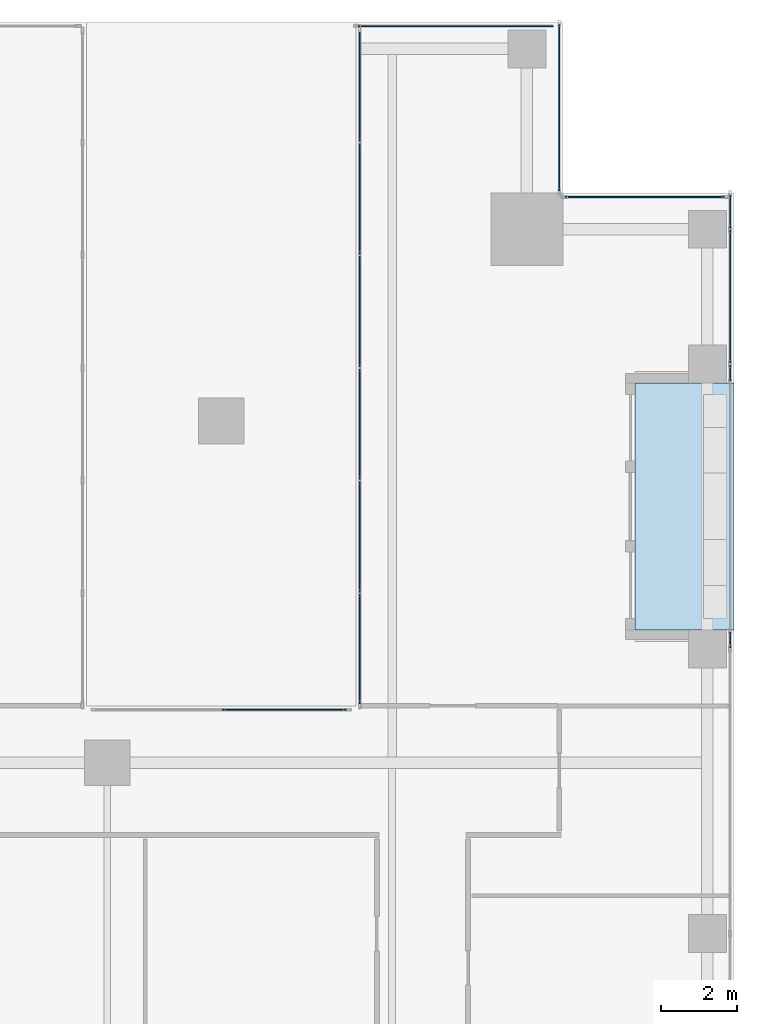
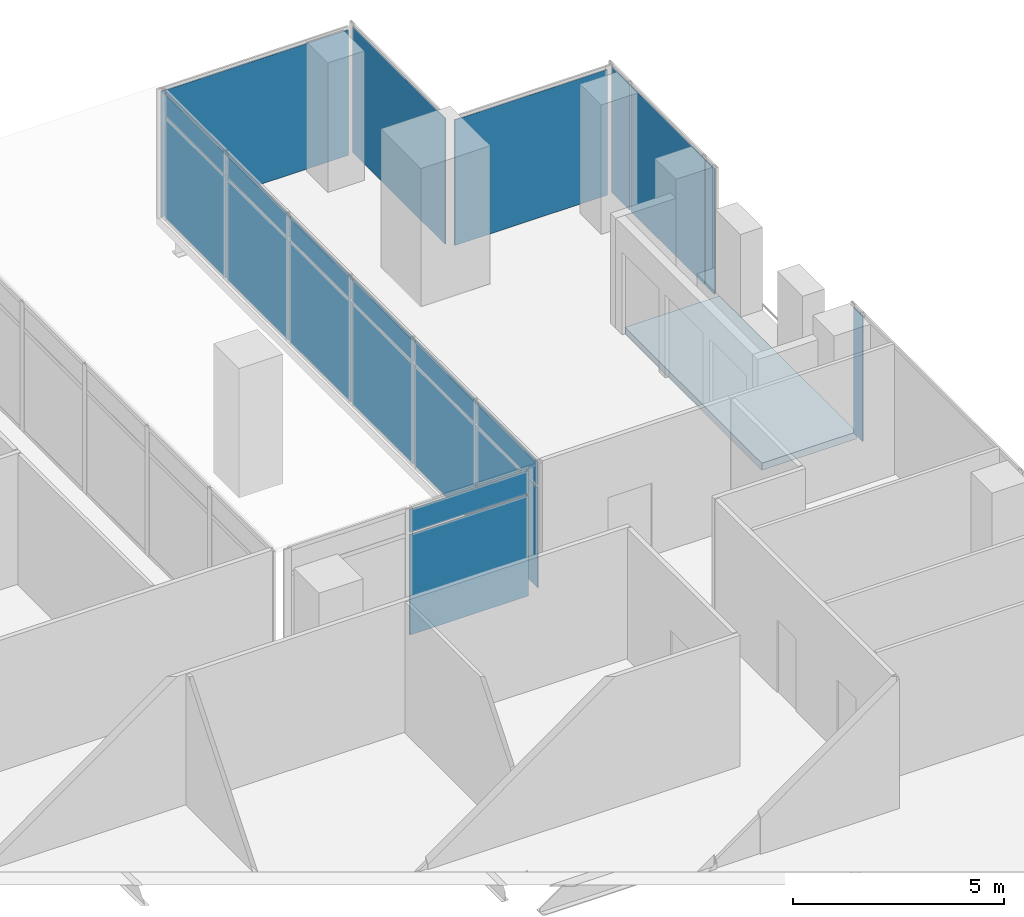
# One storey, part 33 of 40: 21 plates, 1 slab, 7 elements without a shape of their own.
"""IFC4 building model written with IfcOpenShell, lengths in metres."""

from ifc_helpers import new_model, si_unit, direction, frame, origin, origin_2d, place, context, subcontext, project, spatial, polyline, rectangle, outline, extrude, source, transform, mapped, material, layer, layer_set, type_object, element, aggregate, save


model = new_model("IFC4")

# Units and contexts
model_context = context("Model", 3, precision=1e-05, world=origin(), true_north=direction((0.0, 1.0)))
body_context = subcontext(model_context, "Body", "Model", "MODEL_VIEW")
ifc_project = project(units=[si_unit("LENGTHUNIT", "METRE"), si_unit("AREAUNIT", "SQUARE_METRE"), si_unit("VOLUMEUNIT", "CUBIC_METRE"), si_unit("PLANEANGLEUNIT", "RADIAN"), si_unit("MASSUNIT", "GRAM", prefix="KILO")], contexts=[model_context])

# Site, building, storey
site_placement = place(None, origin())
site = spatial("IfcSite", under=ifc_project, at=site_placement, CompositionType="ELEMENT")
building_placement = place(site_placement, origin())
building = spatial("IfcBuilding", under=site, at=building_placement, Name="Khomas Fold Tower", CompositionType="ELEMENT")
storey_placement = place(building_placement, frame((0.0, 0.0, 184.699951171875)))
storey = spatial("IfcBuildingStorey", under=building, at=storey_placement, Name="L40", CompositionType="ELEMENT", Elevation=184.699951171875)

# Curtain wall, plate
ifc_material_1 = material(Name="Aluminium framed double glazing", Category="aluminium")
curtain_wall_type_1 = type_object("IfcCurtainWallType", Name="SK-Unitised clear-glass wall, office floors CW2", PredefinedType="NOTDEFINED", material=ifc_material_1)
curtain_wall_1_placement = place(storey_placement, origin())
curtain_wall_1 = element("IfcCurtainWall", 1, at=curtain_wall_1_placement, inside=storey, type_object=curtain_wall_type_1, Name="CW2 corner return L40 10", PredefinedType="NOTDEFINED")
ifc_material_2 = material(Name="Clear double glazed unit")
ifc_layer_1 = layer(ifc_material_2, 0.030029296875)
ifc_layer_set_1 = layer_set([ifc_layer_1], Name="Clear double glazed unit")
plate_type_1 = type_object("IfcPlateType", Name="SK-Unitised clear-glass wall, office floors glass panel CW2-P", PredefinedType="CURTAIN_PANEL", material=ifc_layer_set_1)
shared_shape_1 = source(origin(), body_context, "Body", "SweptSolid", [
    extrude(rectangle(XDim=4.3798828125, YDim=0.030029296875, at=origin_2d()), origin(), (0.0, 0.0, 1.0), 3.639892578125),
])
plate_1_placement = place(storey_placement, frame((46.39990234375, 48.75, 0.0), z_axis=(0.0, 0.0, 1.0), x_axis=(0.0, 1.0, 0.0)))
plate_1 = element("IfcPlate", 2, at=plate_1_placement, type_object=plate_type_1, Name="CW2 glass panel 1", PredefinedType="CURTAIN_PANEL", context=body_context, shape_type="MappedRepresentation", body=[
    mapped(shared_shape_1, transform((0.0, 0.0, 0.0))),
])
aggregate(curtain_wall_1, [plate_1])

curtain_wall_2_placement = place(storey_placement, origin())
curtain_wall_2 = element("IfcCurtainWall", 3, at=curtain_wall_2_placement, inside=storey, type_object=curtain_wall_type_1, Name="CW2 run L40 08-1", PredefinedType="NOTDEFINED")
shared_shape_2 = source(origin(), body_context, "Body", "SweptSolid", [
    extrude(rectangle(XDim=3.489990234375, YDim=0.030029296875, at=origin_2d()), origin(), (0.0, 0.0, 1.0), 3.639892578125),
])
plate_2_placement = place(storey_placement, frame((50.89990234375, 43.77490234375, 0.0), z_axis=(0.0, 0.0, 1.0), x_axis=(0.0, 1.0, 0.0)))
plate_2 = element("IfcPlate", 4, at=plate_2_placement, type_object=plate_type_1, Name="CW2 glass panel 2", PredefinedType="CURTAIN_PANEL", context=body_context, shape_type="MappedRepresentation", body=[
    mapped(shared_shape_2, transform((0.0, 0.0, 0.0))),
])

curtain_wall_3_placement = place(storey_placement, origin())
curtain_wall_3 = element("IfcCurtainWall", 5, at=curtain_wall_3_placement, inside=storey, type_object=curtain_wall_type_1, Name="CW2 corner return L40 09", PredefinedType="NOTDEFINED")
shared_shape_3 = source(origin(), body_context, "Body", "SweptSolid", [
    extrude(rectangle(XDim=4.179931640625, YDim=0.030029296875, at=origin_2d()), origin(), (0.0, 0.0, 1.0), 3.639892578125),
])
plate_3_placement = place(storey_placement, frame((48.64990234375, 46.39990234375, 0.0), z_axis=(0.0, 0.0, 1.0), x_axis=(-1.0, 0.0, 0.0)))
plate_3 = element("IfcPlate", 6, at=plate_3_placement, type_object=plate_type_1, Name="CW2 glass panel 1", PredefinedType="CURTAIN_PANEL", context=body_context, shape_type="MappedRepresentation", body=[
    mapped(shared_shape_3, transform((0.0, 0.0, 0.0))),
])
aggregate(curtain_wall_3, [plate_3])

curtain_wall_4_placement = place(storey_placement, origin())
curtain_wall_4 = element("IfcCurtainWall", 7, at=curtain_wall_4_placement, inside=storey, type_object=curtain_wall_type_1, Name="CW2 run L40 08-0", PredefinedType="NOTDEFINED")
shared_shape_4 = source(origin(), body_context, "Body", "SweptSolid", [
    extrude(rectangle(XDim=0.409912109375, YDim=0.030029296875, at=origin_2d()), origin(), (0.0, 0.0, 1.0), 3.639892578125),
])
plate_4_placement = place(storey_placement, frame((50.89990234375, 34.735107421875, 0.0), z_axis=(0.0, 0.0, 1.0), x_axis=(0.0, 1.0, 0.0)))
plate_4 = element("IfcPlate", 8, at=plate_4_placement, type_object=plate_type_1, Name="CW2 glass panel 6", PredefinedType="CURTAIN_PANEL", context=body_context, shape_type="MappedRepresentation", body=[
    mapped(shared_shape_4, transform((0.0, 0.0, 0.0))),
])
aggregate(curtain_wall_4, [plate_4])

# Plate
plate_5_placement = place(storey_placement, frame((50.89990234375, 41.764892578125, 0.0), z_axis=(0.0, 0.0, 1.0), x_axis=(0.0, 1.0, 0.0)))
plate_5 = element("IfcPlate", 9, at=plate_5_placement, type_object=plate_type_1, Name="CW2 glass panel 1", PredefinedType="CURTAIN_PANEL", context=body_context, shape_type="MappedRepresentation", body=[
    mapped(shared_shape_4, transform((0.0, 0.0, 0.0))),
])

shared_shape_5 = source(origin(), body_context, "Body", "SweptSolid", [
    extrude(rectangle(XDim=0.860107421875, YDim=0.030029296875, at=origin_2d()), origin(), (0.0, 0.0, 1.0), 3.639892578125),
])
plate_6_placement = place(storey_placement, frame((50.89990234375, 46.010009765625, 0.0), z_axis=(0.0, 0.0, 1.0), x_axis=(0.0, 1.0, 0.0)))
plate_6 = element("IfcPlate", 10, at=plate_6_placement, type_object=plate_type_1, Name="CW2 glass panel 3", PredefinedType="CURTAIN_PANEL", context=body_context, shape_type="MappedRepresentation", body=[
    mapped(shared_shape_5, transform((0.0, 0.0, 0.0))),
])

aggregate(curtain_wall_2, [plate_5, plate_2, plate_6])

# Curtain wall, plate
curtain_wall_5_placement = place(storey_placement, origin())
curtain_wall_5 = element("IfcCurtainWall", 11, at=curtain_wall_5_placement, inside=storey, type_object=curtain_wall_type_1, Name="CW2 run L40 11-0", PredefinedType="NOTDEFINED")
shared_shape_6 = source(origin(), body_context, "Body", "SweptSolid", [
    extrude(rectangle(XDim=5.1298828125, YDim=0.030029296875, at=origin_2d()), origin(), (0.0, 0.0, 1.0), 3.639892578125),
])
plate_7_placement = place(storey_placement, frame((43.675048828125, 50.89990234375, 0.0), z_axis=(0.0, 0.0, 1.0), x_axis=(-1.0, 0.0, 0.0)))
plate_7 = element("IfcPlate", 12, at=plate_7_placement, type_object=plate_type_1, Name="CW2 glass panel 1", PredefinedType="CURTAIN_PANEL", context=body_context, shape_type="MappedRepresentation", body=[
    mapped(shared_shape_6, transform((0.0, 0.0, 0.0))),
])
aggregate(curtain_wall_5, [plate_7])

# Slab
ifc_material_3 = material(Name="Concrete C40/50", Category="concrete")
ifc_layer_2 = layer(ifc_material_3, 0.205078125)
ifc_layer_set_2 = layer_set([ifc_layer_2], Name="Concrete C40/50")
slab_type = type_object("IfcSlabType", Name="BL-Balcony deck 205", PredefinedType="FLOOR", material=ifc_layer_set_2)
shared_shape_7 = source(origin(), body_context, "Body", "SweptSolid", [
    extrude(outline(polyline([(48.39990234375, 35.0), (51.0, 35.0), (51.0, 41.5), (48.39990234375, 41.5), (48.39990234375, 35.0)])), origin(), (0.0, 0.0, 1.0), 0.205078125),
])
slab_placement = place(storey_placement, frame((0.0, 0.0, -0.25)))
element("IfcSlab", 13, at=slab_placement, inside=storey, type_object=slab_type, Name="Balcony deck BAL-L40-E4", PredefinedType="FLOOR", context=body_context, shape_type="MappedRepresentation", body=[
    mapped(shared_shape_7, transform((0.0, 0.0, 0.0))),
])

# Curtain wall, plates
ifc_material_4 = material(Name="Aluminium framed double glazing", Category="aluminium")
curtain_wall_type_2 = type_object("IfcCurtainWallType", Name="Notch glazing GN-CW", PredefinedType="NOTDEFINED", material=ifc_material_4)
curtain_wall_6_placement = place(storey_placement, origin())
curtain_wall_6 = element("IfcCurtainWall", 14, at=curtain_wall_6_placement, inside=storey, type_object=curtain_wall_type_2, Name="Notch glazing run", PredefinedType="NOTDEFINED")
ifc_material_5 = material(Name="Double glazed unit")
ifc_layer_3 = layer(ifc_material_5, 0.031982421875)
ifc_layer_set_3 = layer_set([ifc_layer_3], Name="Double glazed unit")
plate_type_2 = type_object("IfcPlateType", Name="Notch glazing panel GN-CW-P", PredefinedType="CURTAIN_PANEL", material=ifc_layer_set_3)
shared_shape_8 = source(origin(), body_context, "Body", "SweptSolid", [
    extrude(rectangle(XDim=2.876708984375, YDim=0.031982421875, at=origin_2d()), origin(), (0.0, 0.0, 1.0), 2.909912109375),
])
plate_8_placement = place(storey_placement, frame((41.14990234375, 49.3017578125, 0.06005859375), z_axis=(0.0, 0.0, 1.0), x_axis=(0.0, -1.0, 0.0)))
plate_8 = element("IfcPlate", 15, at=plate_8_placement, type_object=plate_type_2, Name="GN-CW panel 1.1", PredefinedType="CURTAIN_PANEL", context=body_context, shape_type="MappedRepresentation", body=[
    mapped(shared_shape_8, transform((0.0, 0.0, 0.0))),
])
plate_9_placement = place(storey_placement, frame((41.14990234375, 34.498291015625, 0.06005859375), z_axis=(0.0, 0.0, 1.0), x_axis=(0.0, -1.0, 0.0)))
plate_9 = element("IfcPlate", 16, at=plate_9_placement, type_object=plate_type_2, Name="GN-CW panel 6.1", PredefinedType="CURTAIN_PANEL", context=body_context, shape_type="MappedRepresentation", body=[
    mapped(shared_shape_8, transform((0.0, 0.0, 0.0))),
])
shared_shape_9 = source(origin(), body_context, "Body", "SweptSolid", [
    extrude(rectangle(XDim=2.90673828125, YDim=0.031982421875, at=origin_2d()), origin(), (0.0, 0.0, 1.0), 2.909912109375),
])
plate_10_placement = place(storey_placement, frame((41.14990234375, 46.35009765625, 0.06005859375), z_axis=(0.0, 0.0, 1.0), x_axis=(0.0, -1.0, 0.0)))
plate_10 = element("IfcPlate", 17, at=plate_10_placement, type_object=plate_type_2, Name="GN-CW panel 2.1", PredefinedType="CURTAIN_PANEL", context=body_context, shape_type="MappedRepresentation", body=[
    mapped(shared_shape_9, transform((0.0, 0.0, 0.0))),
])
plate_11_placement = place(storey_placement, frame((41.14990234375, 43.38330078125, 0.06005859375), z_axis=(0.0, 0.0, 1.0), x_axis=(0.0, -1.0, 0.0)))
plate_11 = element("IfcPlate", 18, at=plate_11_placement, type_object=plate_type_2, Name="GN-CW panel 3.1", PredefinedType="CURTAIN_PANEL", context=body_context, shape_type="MappedRepresentation", body=[
    mapped(shared_shape_9, transform((0.0, 0.0, 0.0))),
])
plate_12_placement = place(storey_placement, frame((41.14990234375, 40.416748046875, 0.06005859375), z_axis=(0.0, 0.0, 1.0), x_axis=(0.0, -1.0, 0.0)))
plate_12 = element("IfcPlate", 19, at=plate_12_placement, type_object=plate_type_2, Name="GN-CW panel 4.1", PredefinedType="CURTAIN_PANEL", context=body_context, shape_type="MappedRepresentation", body=[
    mapped(shared_shape_9, transform((0.0, 0.0, 0.0))),
])
plate_13_placement = place(storey_placement, frame((41.14990234375, 37.449951171875, 0.06005859375), z_axis=(0.0, 0.0, 1.0), x_axis=(0.0, -1.0, 0.0)))
plate_13 = element("IfcPlate", 20, at=plate_13_placement, type_object=plate_type_2, Name="GN-CW panel 5.1", PredefinedType="CURTAIN_PANEL", context=body_context, shape_type="MappedRepresentation", body=[
    mapped(shared_shape_9, transform((0.0, 0.0, 0.0))),
])
shared_shape_10 = source(origin(), body_context, "Body", "SweptSolid", [
    extrude(rectangle(XDim=2.876708984375, YDim=0.031982421875, at=origin_2d()), origin(), (0.0, 0.0, 1.0), 0.659912109375),
])
plate_14_placement = place(storey_placement, frame((41.14990234375, 49.3017578125, 3.0302734375), z_axis=(0.0, 0.0, 1.0), x_axis=(0.0, -1.0, 0.0)))
plate_14 = element("IfcPlate", 21, at=plate_14_placement, type_object=plate_type_2, Name="GN-CW panel 1.2", PredefinedType="CURTAIN_PANEL", context=body_context, shape_type="MappedRepresentation", body=[
    mapped(shared_shape_10, transform((0.0, 0.0, 0.0))),
])
plate_15_placement = place(storey_placement, frame((41.14990234375, 34.498291015625, 3.0302734375), z_axis=(0.0, 0.0, 1.0), x_axis=(0.0, -1.0, 0.0)))
plate_15 = element("IfcPlate", 22, at=plate_15_placement, type_object=plate_type_2, Name="GN-CW panel 6.2", PredefinedType="CURTAIN_PANEL", context=body_context, shape_type="MappedRepresentation", body=[
    mapped(shared_shape_10, transform((0.0, 0.0, 0.0))),
])
shared_shape_11 = source(origin(), body_context, "Body", "SweptSolid", [
    extrude(rectangle(XDim=2.90673828125, YDim=0.031982421875, at=origin_2d()), origin(), (0.0, 0.0, 1.0), 0.659912109375),
])
plate_16_placement = place(storey_placement, frame((41.14990234375, 46.35009765625, 3.0302734375), z_axis=(0.0, 0.0, 1.0), x_axis=(0.0, -1.0, 0.0)))
plate_16 = element("IfcPlate", 23, at=plate_16_placement, type_object=plate_type_2, Name="GN-CW panel 2.2", PredefinedType="CURTAIN_PANEL", context=body_context, shape_type="MappedRepresentation", body=[
    mapped(shared_shape_11, transform((0.0, 0.0, 0.0))),
])
plate_17_placement = place(storey_placement, frame((41.14990234375, 43.38330078125, 3.0302734375), z_axis=(0.0, 0.0, 1.0), x_axis=(0.0, -1.0, 0.0)))
plate_17 = element("IfcPlate", 24, at=plate_17_placement, type_object=plate_type_2, Name="GN-CW panel 3.2", PredefinedType="CURTAIN_PANEL", context=body_context, shape_type="MappedRepresentation", body=[
    mapped(shared_shape_11, transform((0.0, 0.0, 0.0))),
])
plate_18_placement = place(storey_placement, frame((41.14990234375, 40.416748046875, 3.0302734375), z_axis=(0.0, 0.0, 1.0), x_axis=(0.0, -1.0, 0.0)))
plate_18 = element("IfcPlate", 25, at=plate_18_placement, type_object=plate_type_2, Name="GN-CW panel 4.2", PredefinedType="CURTAIN_PANEL", context=body_context, shape_type="MappedRepresentation", body=[
    mapped(shared_shape_11, transform((0.0, 0.0, 0.0))),
])
plate_19_placement = place(storey_placement, frame((41.14990234375, 37.449951171875, 3.0302734375), z_axis=(0.0, 0.0, 1.0), x_axis=(0.0, -1.0, 0.0)))
plate_19 = element("IfcPlate", 26, at=plate_19_placement, type_object=plate_type_2, Name="GN-CW panel 5.2", PredefinedType="CURTAIN_PANEL", context=body_context, shape_type="MappedRepresentation", body=[
    mapped(shared_shape_11, transform((0.0, 0.0, 0.0))),
])
aggregate(curtain_wall_6, [plate_8, plate_14, plate_10, plate_16, plate_11, plate_17, plate_12, plate_18, plate_13, plate_19, plate_9, plate_15])

curtain_wall_7_placement = place(storey_placement, origin())
curtain_wall_7 = element("IfcCurtainWall", 27, at=curtain_wall_7_placement, inside=storey, type_object=curtain_wall_type_2, Name="Notch glazing run", PredefinedType="NOTDEFINED")
shared_shape_12 = source(origin(), body_context, "Body", "SweptSolid", [
    extrude(rectangle(XDim=3.260009765625, YDim=0.031982421875, at=origin_2d()), origin(), (0.0, 0.0, 1.0), 2.909912109375),
])
plate_20_placement = place(storey_placement, frame((39.159912109375, 32.89990234375, 0.06005859375), z_axis=(0.0, 0.0, 1.0), x_axis=(-1.0, 0.0, 0.0)))
plate_20 = element("IfcPlate", 28, at=plate_20_placement, type_object=plate_type_2, Name="GN-CW panel 1.1", PredefinedType="CURTAIN_PANEL", context=body_context, shape_type="MappedRepresentation", body=[
    mapped(shared_shape_12, transform((0.0, 0.0, 0.0))),
])
shared_shape_13 = source(origin(), body_context, "Body", "SweptSolid", [
    extrude(rectangle(XDim=3.260009765625, YDim=0.031982421875, at=origin_2d()), origin(), (0.0, 0.0, 1.0), 0.659912109375),
])
plate_21_placement = place(storey_placement, frame((39.159912109375, 32.89990234375, 3.0302734375), z_axis=(0.0, 0.0, 1.0), x_axis=(-1.0, 0.0, 0.0)))
plate_21 = element("IfcPlate", 29, at=plate_21_placement, type_object=plate_type_2, Name="GN-CW panel 1.2", PredefinedType="CURTAIN_PANEL", context=body_context, shape_type="MappedRepresentation", body=[
    mapped(shared_shape_13, transform((0.0, 0.0, 0.0))),
])
aggregate(curtain_wall_7, [plate_20, plate_21])

save(model, "model.ifc")
